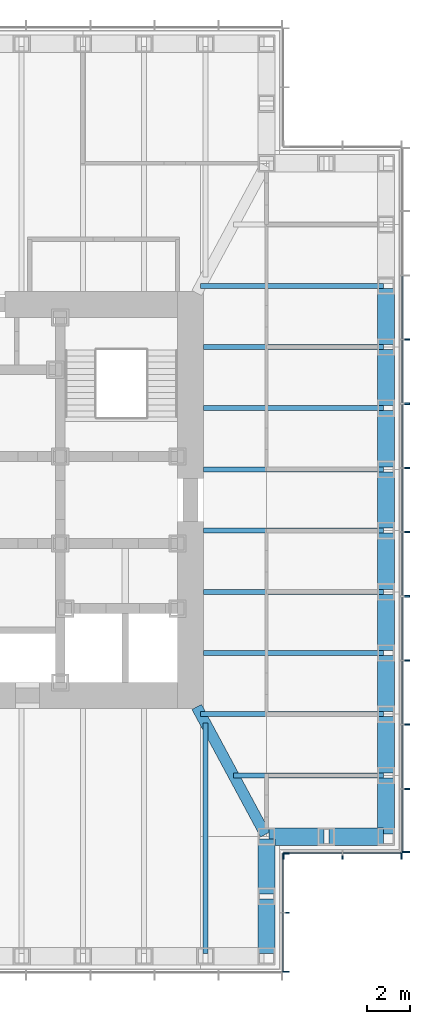
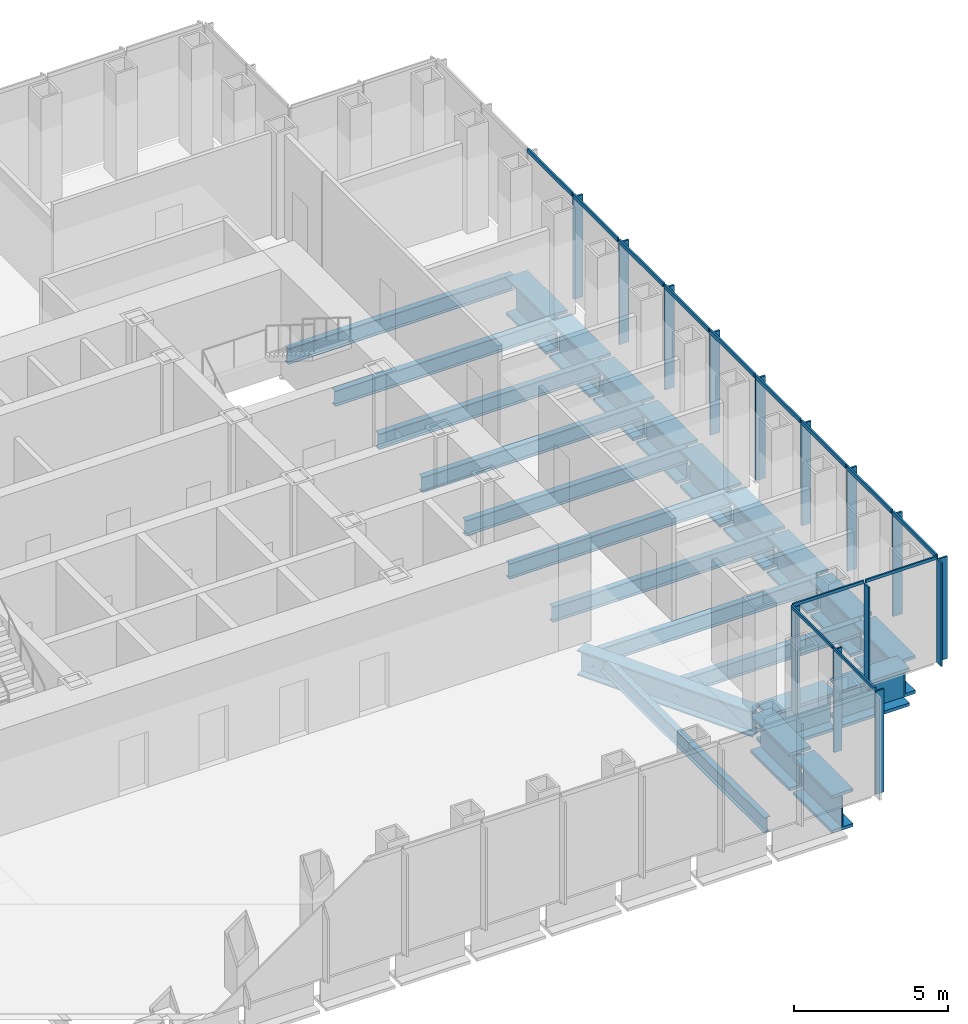
# One storey, part 4 of 16: 28 members, 24 beams, 3 elements without a shape of their own.
"""IFC4 building model written with IfcOpenShell, lengths in metres."""

from ifc_helpers import new_model, si_unit, direction, frame, origin, origin_2d, place, context, subcontext, project, spatial, rectangle, i_section, extrude, material, material_profile, profile_set, type_object, element, aggregate, save


model = new_model("IFC4")

# Units and contexts
model_context = context("Model", 3, precision=1e-05, world=origin(), true_north=direction((0.0, 1.0)))
body_context = subcontext(model_context, "Body", "Model", "MODEL_VIEW")
ifc_project = project(units=[si_unit("LENGTHUNIT", "METRE"), si_unit("AREAUNIT", "SQUARE_METRE"), si_unit("VOLUMEUNIT", "CUBIC_METRE"), si_unit("PLANEANGLEUNIT", "RADIAN"), si_unit("MASSUNIT", "GRAM", prefix="KILO")], contexts=[model_context])

# Site, building, storey
site_placement = place(None, origin())
site = spatial("IfcSite", under=ifc_project, at=site_placement, CompositionType="ELEMENT")
building_placement = place(site_placement, origin())
building = spatial("IfcBuilding", under=site, at=building_placement, Name="Daluyong Arena Tower", CompositionType="ELEMENT")
storey_placement = place(building_placement, frame((0.0, 0.0, 214.89990234375)))
storey = spatial("IfcBuildingStorey", under=building, at=storey_placement, Name="L48", CompositionType="ELEMENT", Elevation=214.89990234375)

# Curtain wall, members
ifc_material_1 = material(Name="Bronze anodised aluminium and glass", Category="aluminium")
curtain_wall_type_1 = type_object("IfcCurtainWallType", Name="Curtain wall CW3", PredefinedType="USERDEFINED", material=ifc_material_1)
curtain_wall_1_placement = place(storey_placement, origin())
curtain_wall_1 = element("IfcCurtainWall", 1, at=curtain_wall_1_placement, inside=storey, type_object=curtain_wall_type_1, Name="curtain wall L48 E", ObjectType="UNITISED CURTAIN WALL", PredefinedType="USERDEFINED")
ifc_material_2 = material(Name="Bronze anodised aluminium fin", Category="aluminium")
ifc_material_profile_1 = material_profile(ifc_material_2, rectangle(XDim=0.35009765625, YDim=0.070068359375, at=origin_2d()))
ifc_profile_set_1 = profile_set([ifc_material_profile_1], Name="Bronze anodised aluminium fin")
member_type_1 = type_object("IfcMemberType", Name="CW3 bronze fin 350x70", PredefinedType="MULLION", material=ifc_profile_set_1)
member_1_placement = place(storey_placement, frame((77.925048828125, 63.784912109375, 0.0), z_axis=(0.0, 0.0, 1.0), x_axis=(-1.0, 0.0, 0.0)))
member_1 = element("IfcMember", 2, at=member_1_placement, type_object=member_type_1, Name="curtain wall L48 E fin 1", PredefinedType="MULLION", context=body_context, shape_type="SweptSolid", body=[
    extrude(rectangle(XDim=0.35009765625, YDim=0.070068359375, at=origin_2d()), origin(), (0.0, 0.0, 1.0), 4.0400390625),
])
member_2_placement = place(storey_placement, frame((77.925048828125, 66.70458984375, 0.0), z_axis=(0.0, 0.0, 1.0), x_axis=(-1.0, 0.0, 0.0)))
member_2 = element("IfcMember", 3, at=member_2_placement, type_object=member_type_1, Name="curtain wall L48 E fin 2", PredefinedType="MULLION", context=body_context, shape_type="SweptSolid", body=[
    extrude(rectangle(XDim=0.35009765625, YDim=0.070068359375, at=origin_2d()), origin(), (0.0, 0.0, 1.0), 4.0400390625),
])
member_3_placement = place(storey_placement, frame((77.925048828125, 69.6591796875, 0.0), z_axis=(0.0, 0.0, 1.0), x_axis=(-1.0, 0.0, 0.0)))
member_3 = element("IfcMember", 4, at=member_3_placement, type_object=member_type_1, Name="curtain wall L48 E fin 3", PredefinedType="MULLION", context=body_context, shape_type="SweptSolid", body=[
    extrude(rectangle(XDim=0.35009765625, YDim=0.070068359375, at=origin_2d()), origin(), (0.0, 0.0, 1.0), 4.0400390625),
])
member_4_placement = place(storey_placement, frame((77.925048828125, 72.613525390625, 0.0), z_axis=(0.0, 0.0, 1.0), x_axis=(-1.0, 0.0, 0.0)))
member_4 = element("IfcMember", 5, at=member_4_placement, type_object=member_type_1, Name="curtain wall L48 E fin 4", PredefinedType="MULLION", context=body_context, shape_type="SweptSolid", body=[
    extrude(rectangle(XDim=0.35009765625, YDim=0.070068359375, at=origin_2d()), origin(), (0.0, 0.0, 1.0), 4.0400390625),
])
member_5_placement = place(storey_placement, frame((77.925048828125, 75.568115234375, 0.0), z_axis=(0.0, 0.0, 1.0), x_axis=(-1.0, 0.0, 0.0)))
member_5 = element("IfcMember", 6, at=member_5_placement, type_object=member_type_1, Name="curtain wall L48 E fin 5", PredefinedType="MULLION", context=body_context, shape_type="SweptSolid", body=[
    extrude(rectangle(XDim=0.35009765625, YDim=0.070068359375, at=origin_2d()), origin(), (0.0, 0.0, 1.0), 4.0400390625),
])
member_6_placement = place(storey_placement, frame((77.925048828125, 78.522705078125, 0.0), z_axis=(0.0, 0.0, 1.0), x_axis=(-1.0, 0.0, 0.0)))
member_6 = element("IfcMember", 7, at=member_6_placement, type_object=member_type_1, Name="curtain wall L48 E fin 6", PredefinedType="MULLION", context=body_context, shape_type="SweptSolid", body=[
    extrude(rectangle(XDim=0.35009765625, YDim=0.070068359375, at=origin_2d()), origin(), (0.0, 0.0, 1.0), 4.0400390625),
])
member_7_placement = place(storey_placement, frame((77.925048828125, 81.477294921875, 0.0), z_axis=(0.0, 0.0, 1.0), x_axis=(-1.0, 0.0, 0.0)))
member_7 = element("IfcMember", 8, at=member_7_placement, type_object=member_type_1, Name="curtain wall L48 E fin 7", PredefinedType="MULLION", context=body_context, shape_type="SweptSolid", body=[
    extrude(rectangle(XDim=0.35009765625, YDim=0.070068359375, at=origin_2d()), origin(), (0.0, 0.0, 1.0), 4.0400390625),
])
member_8_placement = place(storey_placement, frame((77.925048828125, 84.431884765625, 0.0), z_axis=(0.0, 0.0, 1.0), x_axis=(-1.0, 0.0, 0.0)))
member_8 = element("IfcMember", 9, at=member_8_placement, type_object=member_type_1, Name="curtain wall L48 E fin 8", PredefinedType="MULLION", context=body_context, shape_type="SweptSolid", body=[
    extrude(rectangle(XDim=0.35009765625, YDim=0.070068359375, at=origin_2d()), origin(), (0.0, 0.0, 1.0), 4.0400390625),
])
member_9_placement = place(storey_placement, frame((77.925048828125, 87.386474609375, 0.0), z_axis=(0.0, 0.0, 1.0), x_axis=(-1.0, 0.0, 0.0)))
member_9 = element("IfcMember", 10, at=member_9_placement, type_object=member_type_1, Name="curtain wall L48 E fin 9", PredefinedType="MULLION", context=body_context, shape_type="SweptSolid", body=[
    extrude(rectangle(XDim=0.35009765625, YDim=0.070068359375, at=origin_2d()), origin(), (0.0, 0.0, 1.0), 4.0400390625),
])
ifc_material_3 = material(Name="Bronze anodised aluminium", Category="aluminium")
ifc_material_profile_2 = material_profile(ifc_material_3, rectangle(XDim=0.070068359375, YDim=0.159912109375, at=origin_2d()))
ifc_profile_set_2 = profile_set([ifc_material_profile_2], Name="Bronze anodised aluminium")
member_type_2 = type_object("IfcMemberType", Name="CW3 stack transom 160x70", PredefinedType="USERDEFINED", material=ifc_profile_set_2)
member_10_placement = place(storey_placement, frame((77.75, 63.820068359375, 4.1201171875), z_axis=(0.0, 1.0, 0.0), x_axis=(-1.0, 0.0, 0.0)))
member_10 = element("IfcMember", 11, at=member_10_placement, type_object=member_type_2, Name="curtain wall L48 E transom 1", ObjectType="TRANSOM", PredefinedType="USERDEFINED", context=body_context, shape_type="SweptSolid", body=[
    extrude(rectangle(XDim=0.070068359375, YDim=0.159912109375, at=origin_2d()), origin(), (0.0, 0.0, 1.0), 2.849365234375),
])
member_11_placement = place(storey_placement, frame((77.75, 66.739501953125, 4.1201171875), z_axis=(0.0, 1.0, 0.0), x_axis=(-1.0, 0.0, 0.0)))
member_11 = element("IfcMember", 12, at=member_11_placement, type_object=member_type_2, Name="curtain wall L48 E transom 2", ObjectType="TRANSOM", PredefinedType="USERDEFINED", context=body_context, shape_type="SweptSolid", body=[
    extrude(rectangle(XDim=0.070068359375, YDim=0.159912109375, at=origin_2d()), origin(), (0.0, 0.0, 1.0), 2.884521484375),
])
member_12_placement = place(storey_placement, frame((77.75, 69.694091796875, 4.1201171875), z_axis=(0.0, 1.0, 0.0), x_axis=(-1.0, 0.0, 0.0)))
member_12 = element("IfcMember", 13, at=member_12_placement, type_object=member_type_2, Name="curtain wall L48 E transom 3", ObjectType="TRANSOM", PredefinedType="USERDEFINED", context=body_context, shape_type="SweptSolid", body=[
    extrude(rectangle(XDim=0.070068359375, YDim=0.159912109375, at=origin_2d()), origin(), (0.0, 0.0, 1.0), 2.884521484375),
])
member_13_placement = place(storey_placement, frame((77.75, 72.648681640625, 4.1201171875), z_axis=(0.0, 1.0, 0.0), x_axis=(-1.0, 0.0, 0.0)))
member_13 = element("IfcMember", 14, at=member_13_placement, type_object=member_type_2, Name="curtain wall L48 E transom 4", ObjectType="TRANSOM", PredefinedType="USERDEFINED", context=body_context, shape_type="SweptSolid", body=[
    extrude(rectangle(XDim=0.070068359375, YDim=0.159912109375, at=origin_2d()), origin(), (0.0, 0.0, 1.0), 2.884521484375),
])
member_14_placement = place(storey_placement, frame((77.75, 75.603271484375, 4.1201171875), z_axis=(0.0, 1.0, 0.0), x_axis=(-1.0, 0.0, 0.0)))
member_14 = element("IfcMember", 15, at=member_14_placement, type_object=member_type_2, Name="curtain wall L48 E transom 5", ObjectType="TRANSOM", PredefinedType="USERDEFINED", context=body_context, shape_type="SweptSolid", body=[
    extrude(rectangle(XDim=0.070068359375, YDim=0.159912109375, at=origin_2d()), origin(), (0.0, 0.0, 1.0), 2.884521484375),
])
member_15_placement = place(storey_placement, frame((77.75, 78.5576171875, 4.1201171875), z_axis=(0.0, 1.0, 0.0), x_axis=(-1.0, 0.0, 0.0)))
member_15 = element("IfcMember", 16, at=member_15_placement, type_object=member_type_2, Name="curtain wall L48 E transom 6", ObjectType="TRANSOM", PredefinedType="USERDEFINED", context=body_context, shape_type="SweptSolid", body=[
    extrude(rectangle(XDim=0.070068359375, YDim=0.159912109375, at=origin_2d()), origin(), (0.0, 0.0, 1.0), 2.884765625),
])
member_16_placement = place(storey_placement, frame((77.75, 81.51220703125, 4.1201171875), z_axis=(0.0, 1.0, 0.0), x_axis=(-1.0, 0.0, 0.0)))
member_16 = element("IfcMember", 17, at=member_16_placement, type_object=member_type_2, Name="curtain wall L48 E transom 7", ObjectType="TRANSOM", PredefinedType="USERDEFINED", context=body_context, shape_type="SweptSolid", body=[
    extrude(rectangle(XDim=0.070068359375, YDim=0.159912109375, at=origin_2d()), origin(), (0.0, 0.0, 1.0), 2.884521484375),
])
member_17_placement = place(storey_placement, frame((77.75, 84.466796875, 4.1201171875), z_axis=(0.0, 1.0, 0.0), x_axis=(-1.0, 0.0, 0.0)))
member_17 = element("IfcMember", 18, at=member_17_placement, type_object=member_type_2, Name="curtain wall L48 E transom 8", ObjectType="TRANSOM", PredefinedType="USERDEFINED", context=body_context, shape_type="SweptSolid", body=[
    extrude(rectangle(XDim=0.070068359375, YDim=0.159912109375, at=origin_2d()), origin(), (0.0, 0.0, 1.0), 2.884521484375),
])
member_18_placement = place(storey_placement, frame((77.75, 87.42138671875, 4.1201171875), z_axis=(0.0, 1.0, 0.0), x_axis=(-1.0, 0.0, 0.0)))
member_18 = element("IfcMember", 19, at=member_18_placement, type_object=member_type_2, Name="curtain wall L48 E transom 9", ObjectType="TRANSOM", PredefinedType="USERDEFINED", context=body_context, shape_type="SweptSolid", body=[
    extrude(rectangle(XDim=0.070068359375, YDim=0.159912109375, at=origin_2d()), origin(), (0.0, 0.0, 1.0), 2.884521484375),
])
aggregate(curtain_wall_1, [member_1, member_2, member_3, member_4, member_5, member_6, member_7, member_8, member_9, member_10, member_11, member_12, member_13, member_14, member_15, member_16, member_17, member_18])

ifc_material_4 = material(Name="Bronze anodised aluminium and glass", Category="aluminium")
curtain_wall_type_2 = type_object("IfcCurtainWallType", Name="Curtain wall CW7", PredefinedType="USERDEFINED", material=ifc_material_4)
curtain_wall_2_placement = place(storey_placement, origin())
curtain_wall_2 = element("IfcCurtainWall", 20, at=curtain_wall_2_placement, inside=storey, type_object=curtain_wall_type_2, Name="curtain wall L48 SE-E", ObjectType="UNITISED CURTAIN WALL", PredefinedType="USERDEFINED")
ifc_material_5 = material(Name="Bronze anodised aluminium fin", Category="aluminium")
ifc_material_profile_3 = material_profile(ifc_material_5, rectangle(XDim=0.300048828125, YDim=0.06005859375, at=origin_2d()))
ifc_profile_set_3 = profile_set([ifc_material_profile_3], Name="Bronze anodised aluminium fin")
member_type_3 = type_object("IfcMemberType", Name="CW7 bronze fin 300x60", PredefinedType="MULLION", material=ifc_profile_set_3)
member_19_placement = place(storey_placement, frame((72.39990234375, 58.280029296875, 0.0), z_axis=(0.0, 0.0, 1.0), x_axis=(-1.0, 0.0, 0.0)))
member_19 = element("IfcMember", 21, at=member_19_placement, type_object=member_type_3, Name="curtain wall L48 SE-E fin 1", PredefinedType="MULLION", context=body_context, shape_type="SweptSolid", body=[
    extrude(rectangle(XDim=0.300048828125, YDim=0.06005859375, at=origin_2d()), origin(), (0.0, 0.0, 1.0), 4.080078125),
])
member_20_placement = place(storey_placement, frame((72.39990234375, 61.0, 0.0), z_axis=(0.0, 0.0, 1.0), x_axis=(-1.0, 0.0, 0.0)))
member_20 = element("IfcMember", 22, at=member_20_placement, type_object=member_type_3, Name="curtain wall L48 SE-E fin 2", PredefinedType="MULLION", context=body_context, shape_type="SweptSolid", body=[
    extrude(rectangle(XDim=0.300048828125, YDim=0.06005859375, at=origin_2d()), origin(), (0.0, 0.0, 1.0), 4.080078125),
])
member_21_placement = place(storey_placement, frame((72.39990234375, 63.719970703125, 0.0), z_axis=(0.0, 0.0, 1.0), x_axis=(-1.0, 0.0, 0.0)))
member_21 = element("IfcMember", 23, at=member_21_placement, type_object=member_type_3, Name="curtain wall L48 SE-E fin 3", PredefinedType="MULLION", context=body_context, shape_type="SweptSolid", body=[
    extrude(rectangle(XDim=0.300048828125, YDim=0.06005859375, at=origin_2d()), origin(), (0.0, 0.0, 1.0), 4.080078125),
])

curtain_wall_3_placement = place(storey_placement, origin())
curtain_wall_3 = element("IfcCurtainWall", 24, at=curtain_wall_3_placement, inside=storey, type_object=curtain_wall_type_2, Name="curtain wall L48 SE-S", ObjectType="UNITISED CURTAIN WALL", PredefinedType="USERDEFINED")
member_22_placement = place(storey_placement, frame((72.280029296875, 63.60009765625, 0.0), z_axis=(0.0, 0.0, 1.0), x_axis=(0.0, 1.0, 0.0)))
member_22 = element("IfcMember", 25, at=member_22_placement, type_object=member_type_3, Name="curtain wall L48 SE-S fin 1", PredefinedType="MULLION", context=body_context, shape_type="SweptSolid", body=[
    extrude(rectangle(XDim=0.300048828125, YDim=0.06005859375, at=origin_2d()), origin(), (0.0, 0.0, 1.0), 4.080078125),
])
member_23_placement = place(storey_placement, frame((75.0, 63.60009765625, 0.0), z_axis=(0.0, 0.0, 1.0), x_axis=(0.0, 1.0, 0.0)))
member_23 = element("IfcMember", 26, at=member_23_placement, type_object=member_type_3, Name="curtain wall L48 SE-S fin 2", PredefinedType="MULLION", context=body_context, shape_type="SweptSolid", body=[
    extrude(rectangle(XDim=0.300048828125, YDim=0.06005859375, at=origin_2d()), origin(), (0.0, 0.0, 1.0), 4.080078125),
])
member_24_placement = place(storey_placement, frame((77.719970703125, 63.60009765625, 0.0), z_axis=(0.0, 0.0, 1.0), x_axis=(0.0, 1.0, 0.0)))
member_24 = element("IfcMember", 27, at=member_24_placement, type_object=member_type_3, Name="curtain wall L48 SE-S fin 3", PredefinedType="MULLION", context=body_context, shape_type="SweptSolid", body=[
    extrude(rectangle(XDim=0.300048828125, YDim=0.06005859375, at=origin_2d()), origin(), (0.0, 0.0, 1.0), 4.080078125),
])

# Member
ifc_material_6 = material(Name="Bronze anodised aluminium", Category="aluminium")
ifc_material_profile_4 = material_profile(ifc_material_6, rectangle(XDim=0.06005859375, YDim=0.1201171875, at=origin_2d()))
ifc_profile_set_4 = profile_set([ifc_material_profile_4], Name="Bronze anodised aluminium")
member_type_4 = type_object("IfcMemberType", Name="CW7 stack transom 120x60", PredefinedType="USERDEFINED", material=ifc_profile_set_4)
member_25_placement = place(storey_placement, frame((72.25, 58.31005859375, 4.14013671875), z_axis=(0.0, 1.0, 0.0), x_axis=(-1.0, 0.0, 0.0)))
member_25 = element("IfcMember", 28, at=member_25_placement, type_object=member_type_4, Name="curtain wall L48 SE-E transom 1", ObjectType="TRANSOM", PredefinedType="USERDEFINED", context=body_context, shape_type="SweptSolid", body=[
    extrude(rectangle(XDim=0.06005859375, YDim=0.1201171875, at=origin_2d()), origin(), (0.0, 0.0, 1.0), 2.659912109375),
])

member_26_placement = place(storey_placement, frame((72.25, 61.030029296875, 4.14013671875), z_axis=(0.0, 1.0, 0.0), x_axis=(-1.0, 0.0, 0.0)))
member_26 = element("IfcMember", 29, at=member_26_placement, type_object=member_type_4, Name="curtain wall L48 SE-E transom 2", ObjectType="TRANSOM", PredefinedType="USERDEFINED", context=body_context, shape_type="SweptSolid", body=[
    extrude(rectangle(XDim=0.06005859375, YDim=0.1201171875, at=origin_2d()), origin(), (0.0, 0.0, 1.0), 2.659912109375),
])

aggregate(curtain_wall_2, [member_19, member_20, member_21, member_25, member_26])

member_27_placement = place(storey_placement, frame((72.31005859375, 63.75, 4.14013671875), z_axis=(1.0, 0.0, 0.0), x_axis=(0.0, 1.0, 0.0)))
member_27 = element("IfcMember", 30, at=member_27_placement, type_object=member_type_4, Name="curtain wall L48 SE-S transom 1", ObjectType="TRANSOM", PredefinedType="USERDEFINED", context=body_context, shape_type="SweptSolid", body=[
    extrude(rectangle(XDim=0.06005859375, YDim=0.1201171875, at=origin_2d()), origin(), (0.0, 0.0, 1.0), 2.659912109375),
])

member_28_placement = place(storey_placement, frame((75.030029296875, 63.75, 4.14013671875), z_axis=(1.0, 0.0, 0.0), x_axis=(0.0, 1.0, 0.0)))
member_28 = element("IfcMember", 31, at=member_28_placement, type_object=member_type_4, Name="curtain wall L48 SE-S transom 2", ObjectType="TRANSOM", PredefinedType="USERDEFINED", context=body_context, shape_type="SweptSolid", body=[
    extrude(rectangle(XDim=0.06005859375, YDim=0.1201171875, at=origin_2d()), origin(), (0.0, 0.0, 1.0), 2.659912109375),
])

aggregate(curtain_wall_3, [member_22, member_23, member_24, member_27, member_28])

# Beams
ifc_material_7 = material(Name="Steel ASTM A572 Grade 50", Category="steel")
ifc_material_profile_5 = material_profile(ifc_material_7, i_section(OverallWidth=0.5, OverallDepth=1.0, WebThickness=0.03, FlangeThickness=0.06, at=origin_2d()))
ifc_profile_set_5 = profile_set([ifc_material_profile_5], Name="Steel ASTM A572 Grade 50")
beam_type_1 = type_object("IfcBeamType", Name="Corner girder TB1000X500", PredefinedType="BEAM", material=ifc_profile_set_5)
beam_1_placement = place(storey_placement, frame((71.445556640625, 64.601318359375, -0.659912109375), z_axis=(-0.474119475266, 0.880460517669, 0.0), x_axis=(-0.880460517669, -0.474119475266, 0.0)))
element("IfcBeam", 32, at=beam_1_placement, inside=storey, type_object=beam_type_1, Name="corner girder DG2", PredefinedType="BEAM", context=body_context, shape_type="SweptSolid", body=[
    extrude(i_section(OverallWidth=0.5, OverallDepth=1.0, WebThickness=0.03, FlangeThickness=0.06, at=origin_2d()), origin(), (0.0, 0.0, 1.0), 6.66748046875),
])
ifc_material_8 = material(Name="Steel ASTM A992 Grade 50", Category="steel")
ifc_material_profile_6 = material_profile(ifc_material_8, i_section(OverallWidth=0.22900390625, OverallDepth=0.612060546875, WebThickness=0.011962890625, FlangeThickness=0.01953125, at=origin_2d()))
ifc_profile_set_6 = profile_set([ifc_material_profile_6], Name="Steel ASTM A992 Grade 50")
beam_type_2 = type_object("IfcBeamType", Name="Floor beam W24X84", PredefinedType="BEAM", material=ifc_profile_set_6)
beam_2_placement = place(storey_placement, frame((68.681884765625, 59.114990234375, -0.466064453125), z_axis=(0.0, 1.0, 0.0), x_axis=(-1.0, 0.0, 0.0)))
element("IfcBeam", 33, at=beam_2_placement, inside=storey, type_object=beam_type_2, Name="floor beam FB3", PredefinedType="BEAM", context=body_context, shape_type="SweptSolid", body=[
    extrude(i_section(OverallWidth=0.22900390625, OverallDepth=0.612060546875, WebThickness=0.011962890625, FlangeThickness=0.01953125, at=origin_2d()), origin(), (0.0, 0.0, 1.0), 10.618896484375),
])
beam_3_placement = place(storey_placement, frame((76.885009765625, 67.318115234375, -0.466064453125), z_axis=(-1.0, 0.0, 0.0), x_axis=(0.0, -1.0, 0.0)))
element("IfcBeam", 34, at=beam_3_placement, inside=storey, type_object=beam_type_2, Name="floor beam FB3", PredefinedType="BEAM", context=body_context, shape_type="SweptSolid", body=[
    extrude(i_section(OverallWidth=0.22900390625, OverallDepth=0.612060546875, WebThickness=0.011962890625, FlangeThickness=0.01953125, at=origin_2d()), origin(), (0.0, 0.0, 1.0), 6.902587890625),
])
beam_4_placement = place(storey_placement, frame((76.885009765625, 70.136474609375, -0.466064453125), z_axis=(-1.0, 0.0, 0.0), x_axis=(0.0, -1.0, 0.0)))
element("IfcBeam", 35, at=beam_4_placement, inside=storey, type_object=beam_type_2, Name="floor beam FB3", PredefinedType="BEAM", context=body_context, shape_type="SweptSolid", body=[
    extrude(i_section(OverallWidth=0.22900390625, OverallDepth=0.612060546875, WebThickness=0.011962890625, FlangeThickness=0.01953125, at=origin_2d()), origin(), (0.0, 0.0, 1.0), 8.419921875),
])
for number, where, z_axis, x_axis, name in (
    (36, (76.885009765625, 72.95458984375, -0.466064453125), (-1.0, 0.0, 0.0), (0.0, -1.0, 0.0), "floor beam FB3"),
    (37, (76.885009765625, 75.772705078125, -0.466064453125), (-1.0, 0.0, 0.0), (0.0, -1.0, 0.0), "floor beam FB3"),
    (38, (76.885009765625, 78.5908203125, -0.466064453125), (-1.0, 0.0, 0.0), (0.0, -1.0, 0.0), "floor beam FB3"),
    (39, (76.885009765625, 81.4091796875, -0.466064453125), (-1.0, 0.0, 0.0), (0.0, -1.0, 0.0), "floor beam FB3"),
    (40, (76.885009765625, 84.227294921875, -0.466064453125), (-1.0, 0.0, 0.0), (0.0, -1.0, 0.0), "floor beam FB3"),
    (41, (76.885009765625, 87.04541015625, -0.466064453125), (-1.0, 0.0, 0.0), (0.0, -1.0, 0.0), "floor beam FB3"),
):
    element("IfcBeam", number, at=place(storey_placement, frame(where, z_axis=z_axis, x_axis=x_axis)), inside=storey, type_object=beam_type_2, Name=name, PredefinedType="BEAM", context=body_context, shape_type="SweptSolid", body=[
        extrude(i_section(OverallWidth=0.22900390625, OverallDepth=0.612060546875, WebThickness=0.011962890625, FlangeThickness=0.01953125, at=origin_2d()), origin(), (0.0, 0.0, 1.0), 8.284912109375),
    ])
beam_5_placement = place(storey_placement, frame((76.885009765625, 89.863525390625, -0.466064453125), z_axis=(-1.0, 0.0, 0.0), x_axis=(0.0, -1.0, 0.0)))
element("IfcBeam", 42, at=beam_5_placement, inside=storey, type_object=beam_type_2, Name="floor beam FB3", PredefinedType="BEAM", context=body_context, shape_type="SweptSolid", body=[
    extrude(i_section(OverallWidth=0.22900390625, OverallDepth=0.612060546875, WebThickness=0.011962890625, FlangeThickness=0.01953125, at=origin_2d()), origin(), (0.0, 0.0, 1.0), 8.419921875),
])
ifc_material_9 = material(Name="Steel ASTM A588 Grade 50", Category="steel")
ifc_material_profile_7 = material_profile(ifc_material_9, i_section(OverallWidth=0.800048828125, OverallDepth=1.5, WebThickness=0.05, FlangeThickness=0.12, at=origin_2d()))
ifc_profile_set_7 = profile_set([ifc_material_profile_7], Name="Steel ASTM A588 Grade 50")
beam_type_3 = type_object("IfcBeamType", Name="Spandrel Z3 PG1500X800", PredefinedType="SPANDREL", material=ifc_profile_set_7)
for number, where, z_axis, x_axis, name in (
    (43, (71.5, 59.114990234375, -0.909912109375), (0.0, 1.0, 0.0), (-1.0, 0.0, 0.0), "spandrel z3 SB7"),
    (44, (71.5, 61.864990234375, -0.909912109375), (0.0, 1.0, 0.0), (-1.0, 0.0, 0.0), "spandrel z3 SB7"),
    (45, (71.614990234375, 64.5, -0.909912109375), (1.0, 0.0, 0.0), (0.0, 1.0, 0.0), "spandrel z3 SB7"),
    (46, (74.364990234375, 64.5, -0.909912109375), (1.0, 0.0, 0.0), (0.0, 1.0, 0.0), "spandrel z3 SB7"),
):
    element("IfcBeam", number, at=place(storey_placement, frame(where, z_axis=z_axis, x_axis=x_axis)), inside=storey, type_object=beam_type_3, Name=name, PredefinedType="SPANDREL", context=body_context, shape_type="SweptSolid", body=[
        extrude(i_section(OverallWidth=0.800048828125, OverallDepth=1.5, WebThickness=0.05, FlangeThickness=0.12, at=origin_2d()), origin(), (0.0, 0.0, 1.0), 2.52001953125),
    ])
beam_6_placement = place(storey_placement, frame((77.0, 64.614990234375, -0.909912109375), z_axis=(0.0, 1.0, 0.0), x_axis=(-1.0, 0.0, 0.0)))
element("IfcBeam", 47, at=beam_6_placement, inside=storey, type_object=beam_type_3, Name="spandrel z3 SB7", PredefinedType="SPANDREL", context=body_context, shape_type="SweptSolid", body=[
    extrude(i_section(OverallWidth=0.800048828125, OverallDepth=1.5, WebThickness=0.05, FlangeThickness=0.12, at=origin_2d()), origin(), (0.0, 0.0, 1.0), 2.588134765625),
])
beam_7_placement = place(storey_placement, frame((77.0, 67.43310546875, -0.909912109375), z_axis=(0.0, 1.0, 0.0), x_axis=(-1.0, 0.0, 0.0)))
element("IfcBeam", 48, at=beam_7_placement, inside=storey, type_object=beam_type_3, Name="spandrel z3 SB7", PredefinedType="SPANDREL", context=body_context, shape_type="SweptSolid", body=[
    extrude(i_section(OverallWidth=0.800048828125, OverallDepth=1.5, WebThickness=0.05, FlangeThickness=0.12, at=origin_2d()), origin(), (0.0, 0.0, 1.0), 2.58837890625),
])
for number, where, z_axis, x_axis, name in (
    (49, (77.0, 70.25146484375, -0.909912109375), (0.0, 1.0, 0.0), (-1.0, 0.0, 0.0), "spandrel z3 SB7"),
    (50, (77.0, 73.069580078125, -0.909912109375), (0.0, 1.0, 0.0), (-1.0, 0.0, 0.0), "spandrel z3 SB7"),
    (51, (77.0, 75.8876953125, -0.909912109375), (0.0, 1.0, 0.0), (-1.0, 0.0, 0.0), "spandrel z3 SB7"),
):
    element("IfcBeam", number, at=place(storey_placement, frame(where, z_axis=z_axis, x_axis=x_axis)), inside=storey, type_object=beam_type_3, Name=name, PredefinedType="SPANDREL", context=body_context, shape_type="SweptSolid", body=[
        extrude(i_section(OverallWidth=0.800048828125, OverallDepth=1.5, WebThickness=0.05, FlangeThickness=0.12, at=origin_2d()), origin(), (0.0, 0.0, 1.0), 2.588134765625),
    ])
beam_8_placement = place(storey_placement, frame((77.0, 78.705810546875, -0.909912109375), z_axis=(0.0, 1.0, 0.0), x_axis=(-1.0, 0.0, 0.0)))
element("IfcBeam", 52, at=beam_8_placement, inside=storey, type_object=beam_type_3, Name="spandrel z3 SB7", PredefinedType="SPANDREL", context=body_context, shape_type="SweptSolid", body=[
    extrude(i_section(OverallWidth=0.800048828125, OverallDepth=1.5, WebThickness=0.05, FlangeThickness=0.12, at=origin_2d()), origin(), (0.0, 0.0, 1.0), 2.58837890625),
])
for number, where, z_axis, x_axis, name in (
    (53, (77.0, 81.524169921875, -0.909912109375), (0.0, 1.0, 0.0), (-1.0, 0.0, 0.0), "spandrel z3 SB7"),
    (54, (77.0, 84.34228515625, -0.909912109375), (0.0, 1.0, 0.0), (-1.0, 0.0, 0.0), "spandrel z3 SB7"),
    (55, (77.0, 87.160400390625, -0.909912109375), (0.0, 1.0, 0.0), (-1.0, 0.0, 0.0), "spandrel z3 SB7"),
):
    element("IfcBeam", number, at=place(storey_placement, frame(where, z_axis=z_axis, x_axis=x_axis)), inside=storey, type_object=beam_type_3, Name=name, PredefinedType="SPANDREL", context=body_context, shape_type="SweptSolid", body=[
        extrude(i_section(OverallWidth=0.800048828125, OverallDepth=1.5, WebThickness=0.05, FlangeThickness=0.12, at=origin_2d()), origin(), (0.0, 0.0, 1.0), 2.588134765625),
    ])

save(model, "model.ifc")
